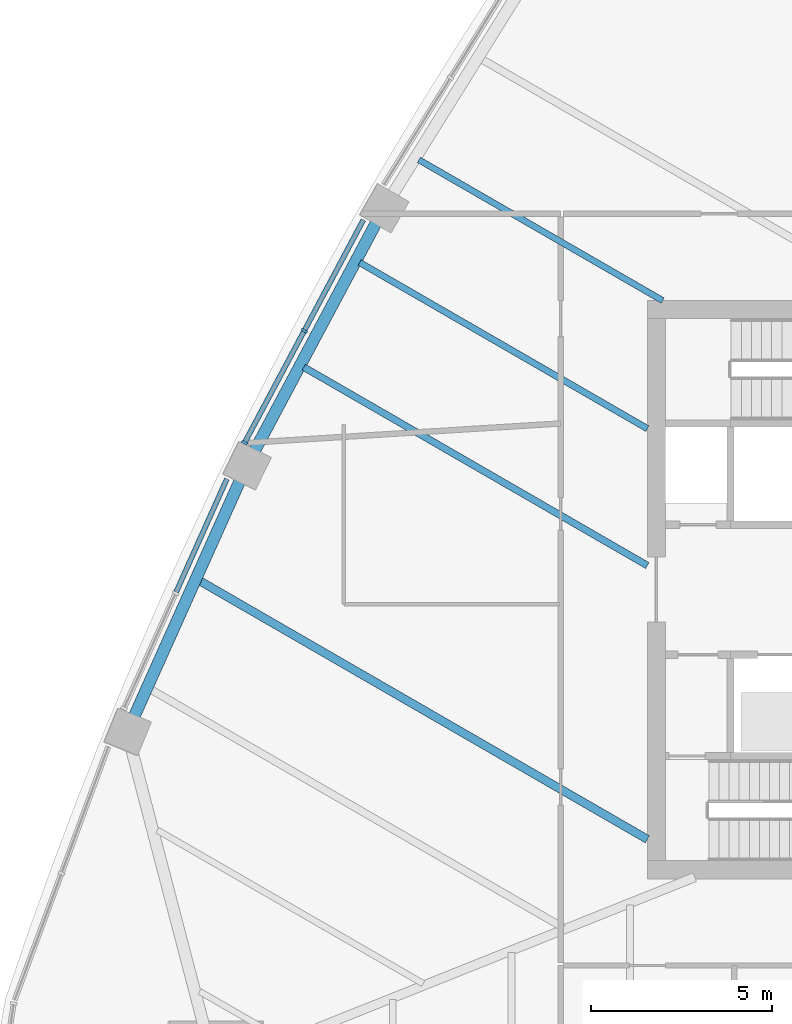
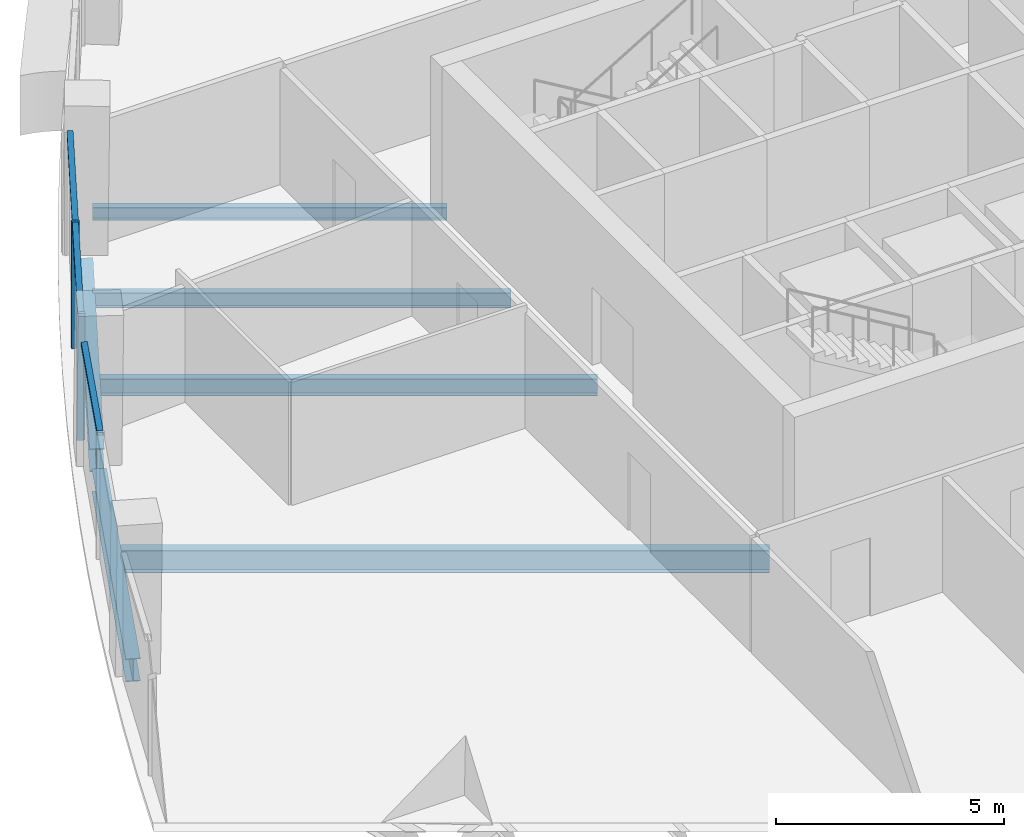
# One storey, part 3 of 17: 6 beams, 5 members, 2 elements without a shape of their own.
"""IFC4 building model written with IfcOpenShell, lengths in metres."""

from ifc_helpers import new_model, si_unit, direction, frame, origin, origin_2d, place, context, subcontext, project, spatial, rectangle, i_section, extrude, material, layer, layer_set, material_profile, profile_set, type_object, element, aggregate, save


model = new_model("IFC4")

# Units and contexts
model_context = context("Model", 3, precision=1e-05, world=origin(), true_north=direction((0.0, 1.0)))
body_context = subcontext(model_context, "Body", "Model", "MODEL_VIEW")
ifc_project = project(units=[si_unit("LENGTHUNIT", "METRE"), si_unit("AREAUNIT", "SQUARE_METRE"), si_unit("VOLUMEUNIT", "CUBIC_METRE"), si_unit("PLANEANGLEUNIT", "RADIAN"), si_unit("MASSUNIT", "GRAM", prefix="KILO")], contexts=[model_context])

# Site, building, storey
site_placement = place(None, origin())
site = spatial("IfcSite", under=ifc_project, at=site_placement, CompositionType="ELEMENT")
building_placement = place(site_placement, origin())
building = spatial("IfcBuilding", under=site, at=building_placement, Name="Sierra Prisma Convention Tower", CompositionType="ELEMENT")
storey_placement = place(building_placement, frame((0.0, 0.0, 201.800048828125)))
storey = spatial("IfcBuildingStorey", under=building, at=storey_placement, Name="L45", CompositionType="ELEMENT", Elevation=201.800048828125)

# Curtain wall, members
ifc_material_1 = material(Name="Aluminium and glass curtain wall", Category="aluminium")
ifc_layer = layer(ifc_material_1, 0.179931640625)
ifc_layer_set = layer_set([ifc_layer], Name="CW-1 Plain shaft curtain wall")
curtain_wall_type = type_object("IfcCurtainWallType", Name="CW-1 Plain shaft curtain wall", PredefinedType="NOTDEFINED", material=ifc_layer_set)
curtain_wall_1_placement = place(storey_placement, origin())
curtain_wall_1 = element("IfcCurtainWall", 1, at=curtain_wall_1_placement, inside=storey, type_object=curtain_wall_type, Name="CW-1 NW4 L45", PredefinedType="NOTDEFINED")
ifc_material_2 = material(Name="Aluminium 6063-T6 bronze anodised", Category="aluminium")
ifc_material_profile_1 = material_profile(ifc_material_2, rectangle(XDim=0.179931640625, YDim=0.070068359375, at=origin_2d()), Name="ALU MULLION 70x180")
ifc_profile_set_1 = profile_set([ifc_material_profile_1], Name="Aluminium 6063-T6 bronze anodised")
member_type_1 = type_object("IfcMemberType", Name="CW mullion bronze", PredefinedType="MULLION", material=ifc_profile_set_1)
member_1_placement = place(storey_placement, frame((-20.493896484375, 7.163330078125, 0.0), z_axis=(0.0, 0.0, 1.0), x_axis=(0.88248612381, -0.470338432708, 0.0)))
member_1 = element("IfcMember", 2, at=member_1_placement, type_object=member_type_1, Name="CW-1 mullion NW4.2", PredefinedType="MULLION", context=body_context, shape_type="SweptSolid", body=[
    extrude(rectangle(XDim=0.179931640625, YDim=0.070068359375, at=origin_2d()), origin(), (0.0, 0.0, 1.0), 3.39990234375),
])
member_2_placement = place(storey_placement, frame((-22.145263671875, 4.065185546875, 0.0), z_axis=(0.0, 0.0, 1.0), x_axis=(0.88248612381, -0.470338432708, 0.0)))
member_2 = element("IfcMember", 3, at=member_2_placement, type_object=member_type_1, Name="CW-1 mullion NW4.3", PredefinedType="MULLION", context=body_context, shape_type="SweptSolid", body=[
    extrude(rectangle(XDim=0.179931640625, YDim=0.070068359375, at=origin_2d()), origin(), (0.0, 0.0, 1.0), 3.39990234375),
])
ifc_material_3 = material(Name="Aluminium 6063-T6 bronze anodised", Category="aluminium")
ifc_material_profile_2 = material_profile(ifc_material_3, rectangle(XDim=0.139892578125, YDim=0.1201171875, at=origin_2d()), Name="ALU TRANSOM 120x140")
ifc_profile_set_2 = profile_set([ifc_material_profile_2], Name="Aluminium 6063-T6 bronze anodised")
member_type_2 = type_object("IfcMemberType", Name="CW transom bronze", PredefinedType="USERDEFINED", material=ifc_profile_set_2)
member_3_placement = place(storey_placement, frame((-18.859130859375, 10.23046875, 3.33984375), z_axis=(-0.470363568755, -0.882472726597, 0.0), x_axis=(0.882472726597, -0.470363568755, 0.0)))
member_3 = element("IfcMember", 4, at=member_3_placement, type_object=member_type_2, Name="CW-1 transom NW4.1", ObjectType="TRANSOM", PredefinedType="USERDEFINED", context=body_context, shape_type="SweptSolid", body=[
    extrude(rectangle(XDim=0.139892578125, YDim=0.1201171875, at=origin_2d()), origin(), (0.0, 0.0, 1.0), 3.440673828125),
])
member_4_placement = place(storey_placement, frame((-20.510498046875, 7.13232421875, 3.33984375), z_axis=(-0.47030830887, -0.882502178246, 0.0), x_axis=(0.882502178246, -0.47030830887, 0.0)))
member_4 = element("IfcMember", 5, at=member_4_placement, type_object=member_type_2, Name="CW-1 transom NW4.2", ObjectType="TRANSOM", PredefinedType="USERDEFINED", context=body_context, shape_type="SweptSolid", body=[
    extrude(rectangle(XDim=0.139892578125, YDim=0.1201171875, at=origin_2d()), origin(), (0.0, 0.0, 1.0), 3.440673828125),
])
aggregate(curtain_wall_1, [member_1, member_2, member_3, member_4])

# Curtain wall, member
curtain_wall_2_placement = place(storey_placement, origin())
curtain_wall_2 = element("IfcCurtainWall", 6, at=curtain_wall_2_placement, inside=storey, type_object=curtain_wall_type, Name="CW-1 NW5 L45", PredefinedType="NOTDEFINED")
member_5_placement = place(storey_placement, frame((-22.635986328125, 3.06201171875, 3.33984375), z_axis=(-0.409409986677, -0.912350515322, 0.0), x_axis=(0.912350515322, -0.409409986677, 0.0)))
member_5 = element("IfcMember", 7, at=member_5_placement, type_object=member_type_2, Name="CW-1 transom NW5.1", ObjectType="TRANSOM", PredefinedType="USERDEFINED", context=body_context, shape_type="SweptSolid", body=[
    extrude(rectangle(XDim=0.139892578125, YDim=0.1201171875, at=origin_2d()), origin(), (0.0, 0.0, 1.0), 3.4248046875),
])
aggregate(curtain_wall_2, [member_5])

# Beams
ifc_material_4 = material(Name="Steel ASTM A992 Gr 50", Category="steel")
ifc_material_profile_3 = material_profile(ifc_material_4, i_section(OverallWidth=0.172119140625, OverallDepth=0.35791015625, WebThickness=0.0078125, FlangeThickness=0.01318359375, at=origin_2d()), Name="W360x57")
ifc_profile_set_3 = profile_set([ifc_material_profile_3], Name="Steel ASTM A992 Gr 50")
beam_type_1 = type_object("IfcBeamType", Name="Floor joist W360x57", PredefinedType="JOIST", material=ifc_profile_set_3)
beam_1_placement = place(storey_placement, frame((-17.322265625, 11.89501953125, -0.3291015625), z_axis=(0.866024317969, -0.500001880682, 0.0), x_axis=(0.500001880682, 0.866024317969, 0.0)))
element("IfcBeam", 8, at=beam_1_placement, inside=storey, type_object=beam_type_1, Name="Floor joist L45 NW07", PredefinedType="JOIST", context=body_context, shape_type="SweptSolid", body=[
    extrude(i_section(OverallWidth=0.172119140625, OverallDepth=0.35791015625, WebThickness=0.0078125, FlangeThickness=0.01318359375, at=origin_2d()), origin(), (0.0, 0.0, 1.0), 7.7900390625),
])
ifc_material_5 = material(Name="Steel ASTM A992 Gr 50", Category="steel")
ifc_material_profile_4 = material_profile(ifc_material_5, i_section(OverallWidth=0.177978515625, OverallDepth=0.406982421875, WebThickness=0.0078125, FlangeThickness=0.0126953125, at=origin_2d()), Name="W410x60")
ifc_profile_set_4 = profile_set([ifc_material_profile_4], Name="Steel ASTM A992 Gr 50")
beam_type_2 = type_object("IfcBeamType", Name="Floor joist W410x60", PredefinedType="JOIST", material=ifc_profile_set_4)
beam_2_placement = place(storey_placement, frame((-18.96240234375, 9.053955078125, -0.353515625), z_axis=(0.866021973648, -0.500005941123, 0.0), x_axis=(0.500005941123, 0.866021973648, 0.0)))
element("IfcBeam", 9, at=beam_2_placement, inside=storey, type_object=beam_type_2, Name="Floor joist L45 NW08", PredefinedType="JOIST", context=body_context, shape_type="SweptSolid", body=[
    extrude(i_section(OverallWidth=0.177978515625, OverallDepth=0.406982421875, WebThickness=0.0078125, FlangeThickness=0.0126953125, at=origin_2d()), origin(), (0.0, 0.0, 1.0), 9.1943359375),
])
ifc_material_6 = material(Name="Steel ASTM A992 Gr 50", Category="steel")
ifc_material_profile_5 = material_profile(ifc_material_6, i_section(OverallWidth=0.18994140625, OverallDepth=0.45703125, WebThickness=0.009033203125, FlangeThickness=0.014404296875, at=origin_2d()), Name="W460x74")
ifc_profile_set_5 = profile_set([ifc_material_profile_5], Name="Steel ASTM A992 Gr 50")
beam_type_3 = type_object("IfcBeamType", Name="Floor joist W460x74", PredefinedType="JOIST", material=ifc_profile_set_5)
beam_3_placement = place(storey_placement, frame((-20.506103515625, 6.157470703125, -0.378662109375), z_axis=(0.866018541051, -0.500011886415, 0.0), x_axis=(0.500011886415, 0.866018541051, 0.0)))
element("IfcBeam", 10, at=beam_3_placement, inside=storey, type_object=beam_type_3, Name="Floor joist L45 NW09", PredefinedType="JOIST", context=body_context, shape_type="SweptSolid", body=[
    extrude(i_section(OverallWidth=0.18994140625, OverallDepth=0.45703125, WebThickness=0.009033203125, FlangeThickness=0.014404296875, at=origin_2d()), origin(), (0.0, 0.0, 1.0), 10.976806640625),
])
ifc_material_7 = material(Name="Steel ASTM A992 Gr 50", Category="steel")
ifc_material_profile_6 = material_profile(ifc_material_7, i_section(OverallWidth=0.22802734375, OverallDepth=0.60302734375, WebThickness=0.010498046875, FlangeThickness=0.014892578125, at=origin_2d()), Name="W610x101")
ifc_profile_set_6 = profile_set([ifc_material_profile_6], Name="Steel ASTM A992 Gr 50")
beam_type_4 = type_object("IfcBeamType", Name="Floor joist W610x101", PredefinedType="JOIST", material=ifc_profile_set_6)
beam_4_placement = place(storey_placement, frame((-23.391845703125, 0.24755859375, -0.45166015625), z_axis=(0.866022209243, -0.500005533067, 0.0), x_axis=(0.500005533067, 0.866022209243, 0.0)))
element("IfcBeam", 11, at=beam_4_placement, inside=storey, type_object=beam_type_4, Name="Floor joist L45 NW11", PredefinedType="JOIST", context=body_context, shape_type="SweptSolid", body=[
    extrude(i_section(OverallWidth=0.22802734375, OverallDepth=0.60302734375, WebThickness=0.010498046875, FlangeThickness=0.014892578125, at=origin_2d()), origin(), (0.0, 0.0, 1.0), 14.308837890625),
])
ifc_material_8 = material(Name="Steel ASTM A992 Gr 50", Category="steel")
ifc_material_profile_7 = material_profile(ifc_material_8, i_section(OverallWidth=0.324951171875, OverallDepth=0.615966796875, WebThickness=0.013916015625, FlangeThickness=0.021484375, at=origin_2d()), Name="W610x174")
ifc_profile_set_7 = profile_set([ifc_material_profile_7], Name="Steel ASTM A992 Gr 50")
beam_type_5 = type_object("IfcBeamType", Name="Spandrel beam W610x174", PredefinedType="BEAM", material=ifc_profile_set_7)
for number, where, z_axis, x_axis, name in (
    (12, (-18.466796875, 10.222900390625, -0.4580078125), (-0.470344111357, -0.882483097239, 0.0), (0.882483097239, -0.470344111357, 0.0), "Spandrel L45-16"),
    (13, (-22.243896484375, 3.0810546875, -0.4580078125), (-0.409438002655, -0.91233794286, 0.0), (0.91233794286, -0.409438002655, 0.0), "Spandrel L45-17"),
):
    element("IfcBeam", number, at=place(storey_placement, frame(where, z_axis=z_axis, x_axis=x_axis)), inside=storey, type_object=beam_type_5, Name=name, PredefinedType="BEAM", context=body_context, shape_type="SweptSolid", body=[
        extrude(i_section(OverallWidth=0.324951171875, OverallDepth=0.615966796875, WebThickness=0.013916015625, FlangeThickness=0.021484375, at=origin_2d()), origin(), (0.0, 0.0, 1.0), 7.3193359375),
    ])

save(model, "model.ifc")
